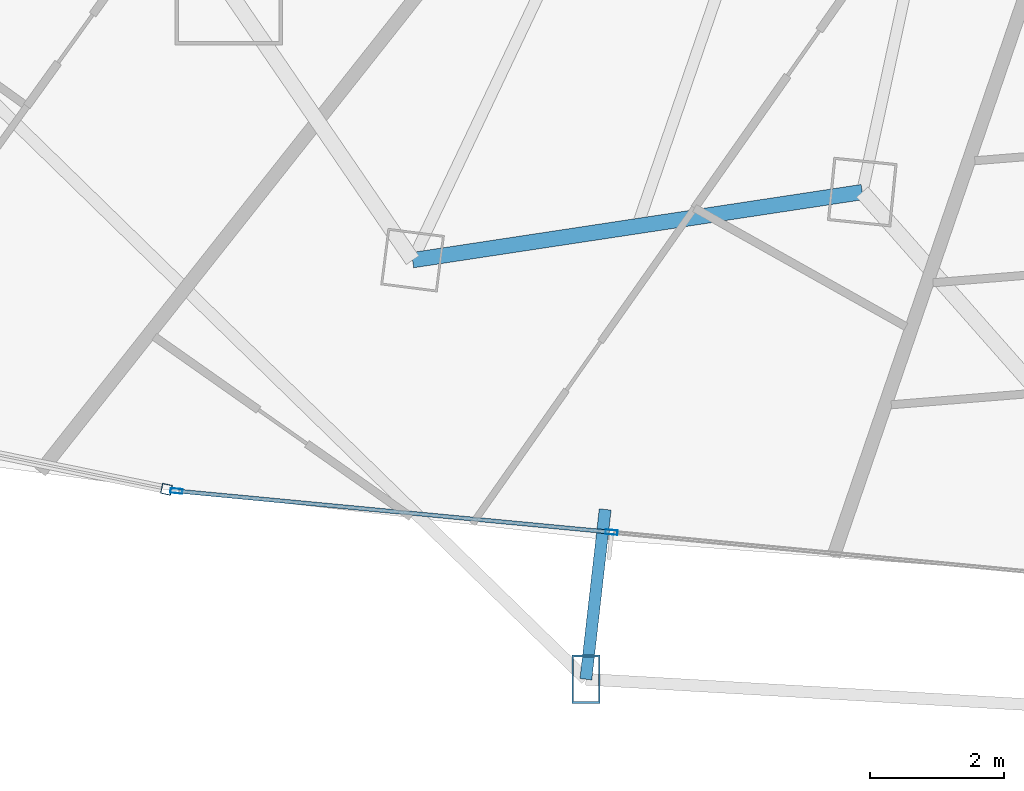
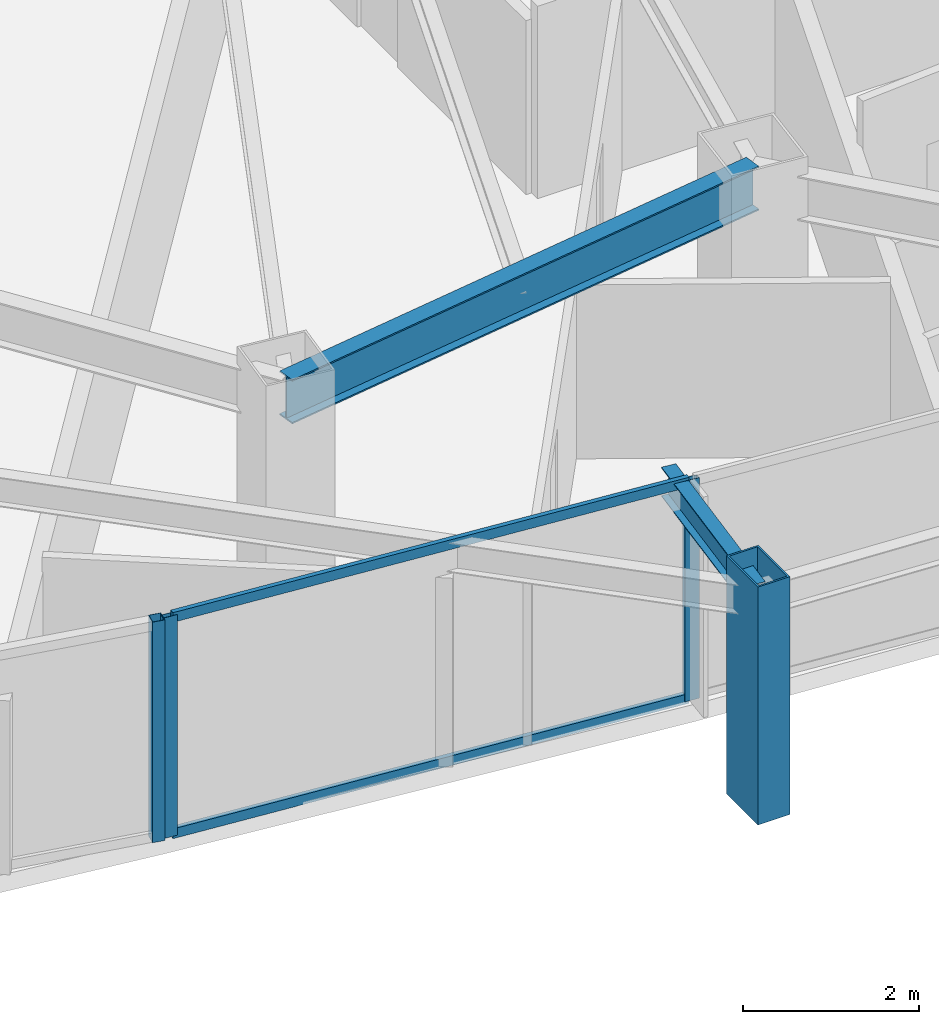
# One storey, part 4 of 37: 6 members, 2 beams, 2 elements without a shape of their own.
"""IFC4 building model written with IfcOpenShell, lengths in metres."""

from ifc_helpers import new_model, si_unit, direction, frame, origin, origin_2d, place, context, subcontext, project, spatial, hollow_rectangle, i_section, extrude, material, layer, layer_set, material_profile, profile_set, type_object, element, aggregate, save


model = new_model("IFC4")

# Units and contexts
model_context = context("Model", 3, precision=1e-05, world=origin(), true_north=direction((0.0, 1.0)))
body_context = subcontext(model_context, "Body", "Model", "MODEL_VIEW")
ifc_project = project(units=[si_unit("LENGTHUNIT", "METRE"), si_unit("AREAUNIT", "SQUARE_METRE"), si_unit("VOLUMEUNIT", "CUBIC_METRE"), si_unit("PLANEANGLEUNIT", "RADIAN"), si_unit("MASSUNIT", "GRAM", prefix="KILO")], contexts=[model_context])

# Site, building, storey
site_placement = place(None, origin())
site = spatial("IfcSite", under=ifc_project, at=site_placement, CompositionType="ELEMENT")
building_placement = place(site_placement, origin())
building = spatial("IfcBuilding", under=site, at=building_placement, Name="Orvanel Arch Residences", CompositionType="ELEMENT")
storey_placement = place(building_placement, frame((0.0, 0.0, 53.300048828125)))
storey = spatial("IfcBuildingStorey", under=building, at=storey_placement, Name="L14", CompositionType="ELEMENT", Elevation=53.300048828125)

# Member
ifc_material_1 = material(Name="Structural steel AS/NZS 3678 Grade 350", Category="steel")
ifc_material_profile_1 = material_profile(ifc_material_1, hollow_rectangle(XDim=0.419921875, YDim=0.719970703125, WallThickness=0.02490234375, at=origin_2d()), Name="RHS720x420x25")
ifc_profile_set_1 = profile_set([ifc_material_profile_1], Name="Structural steel AS/NZS 3678 Grade 350")
member_type_1 = type_object("IfcMemberType", Name="CH-720RHS-EXT", PredefinedType="CHORD", material=ifc_profile_set_1)
member_1_placement = place(storey_placement, frame((19.52587890625, 0.087890625, 0.0), z_axis=(0.0, 0.0, 1.0), x_axis=(1.0, 0.0, 0.0)))
element("IfcMember", 1, at=member_1_placement, inside=storey, type_object=member_type_1, Name="L14 Outer Perimeter Frame Post 05", PredefinedType="CHORD", context=body_context, shape_type="SweptSolid", body=[
    extrude(hollow_rectangle(XDim=0.419921875, YDim=0.719970703125, WallThickness=0.02490234375, at=origin_2d()), origin(), (0.0, 0.0, 1.0), 3.300048828125),
])

# Curtain wall, member
ifc_material_2 = material(Name="Bronze-anodised aluminium AA6063-T6", Category="aluminium")
ifc_layer_1 = layer(ifc_material_2, 0.18994140625)
ifc_layer_set_1 = layer_set([ifc_layer_1], Name="Bronze-anodised aluminium AA6063-T6")
curtain_wall_type_1 = type_object("IfcCurtainWallType", Name="CW5-CRN-SYS", PredefinedType="NOTDEFINED", material=ifc_layer_set_1)
curtain_wall_1_placement = place(storey_placement, origin())
curtain_wall_1 = element("IfcCurtainWall", 2, at=curtain_wall_1_placement, inside=storey, type_object=curtain_wall_type_1, Name="L14 CW5-CRN-SYS Unitised Curtain Wall", PredefinedType="NOTDEFINED")
ifc_material_profile_2 = material_profile(ifc_material_2, hollow_rectangle(XDim=0.14990234375, YDim=0.14990234375, WallThickness=0.0048828125, at=origin_2d()), Name="ALU150x150x5")
ifc_profile_set_2 = profile_set([ifc_material_profile_2], Name="Bronze-anodised aluminium AA6063-T6")
member_type_2 = type_object("IfcMemberType", Name="MUL-150x150", PredefinedType="MULLION", material=ifc_profile_set_2)
member_2_placement = place(storey_placement, frame((13.2705078125, 2.9208984375, 0.0), z_axis=(0.0, 0.0, 1.0), x_axis=(0.200235937609, 0.979747706958, 0.0)))
member_2 = element("IfcMember", 3, at=member_2_placement, type_object=member_type_2, Name="CW-S5 mullion 3", PredefinedType="MULLION", context=body_context, shape_type="SweptSolid", body=[
    extrude(hollow_rectangle(XDim=0.14990234375, YDim=0.14990234375, WallThickness=0.0048828125, at=origin_2d()), origin(), (0.0, 0.0, 1.0), 3.06005859375),
])
aggregate(curtain_wall_1, [member_2])

# Curtain wall, members
ifc_layer_2 = layer(ifc_material_2, 0.179931640625)
ifc_layer_set_2 = layer_set([ifc_layer_2], Name="Bronze-anodised aluminium AA6063-T6")
curtain_wall_type_2 = type_object("IfcCurtainWallType", Name="CW2-LOW-SYS", PredefinedType="NOTDEFINED", material=ifc_layer_set_2)
curtain_wall_2_placement = place(storey_placement, origin())
curtain_wall_2 = element("IfcCurtainWall", 4, at=curtain_wall_2_placement, inside=storey, type_object=curtain_wall_type_2, Name="L14 CW2-LOW-SYS Unitised Curtain Wall", PredefinedType="NOTDEFINED")
ifc_material_profile_3 = material_profile(ifc_material_2, hollow_rectangle(XDim=0.070068359375, YDim=0.179931640625, WallThickness=0.00439453125, at=origin_2d()), Name="ALU180x70x4.5")
ifc_profile_set_3 = profile_set([ifc_material_profile_3], Name="Bronze-anodised aluminium AA6063-T6")
member_type_3 = type_object("IfcMemberType", Name="MUL-180x70", PredefinedType="MULLION", material=ifc_profile_set_3)
member_3_placement = place(storey_placement, frame((13.4189453125, 2.896728515625, 0.0), z_axis=(0.0, 0.0, 1.0), x_axis=(0.094434713682, 0.995531056699, 0.0)))
member_3 = element("IfcMember", 5, at=member_3_placement, type_object=member_type_3, Name="CW-S2 mullion 1", PredefinedType="MULLION", context=body_context, shape_type="SweptSolid", body=[
    extrude(hollow_rectangle(XDim=0.070068359375, YDim=0.179931640625, WallThickness=0.00439453125, at=origin_2d()), origin(), (0.0, 0.0, 1.0), 3.06005859375),
])
member_4_placement = place(storey_placement, frame((19.909423828125, 2.281005859375, 0.0), z_axis=(0.0, 0.0, 1.0), x_axis=(0.094434713682, 0.995531056699, 0.0)))
member_4 = element("IfcMember", 6, at=member_4_placement, type_object=member_type_3, Name="CW-S2 mullion 2", PredefinedType="MULLION", context=body_context, shape_type="SweptSolid", body=[
    extrude(hollow_rectangle(XDim=0.070068359375, YDim=0.179931640625, WallThickness=0.00439453125, at=origin_2d()), origin(), (0.0, 0.0, 1.0), 3.06005859375),
])

# Beams
ifc_material_3 = material(Name="Structural steel AS/NZS 3679.1 Grade 300 (300 MPa)", Category="steel")
ifc_material_profile_4 = material_profile(ifc_material_3, i_section(OverallWidth=0.177978515625, OverallDepth=0.406005859375, WebThickness=0.0078125, FlangeThickness=0.0126953125, at=origin_2d()), Name="410UB59.7")
ifc_profile_set_4 = profile_set([ifc_material_profile_4], Name="Structural steel AS/NZS 3679.1 Grade 300 (300 MPa)")
beam_type_1 = type_object("IfcBeamType", Name="OB-410UB-EXT", PredefinedType="SPANDREL", material=ifc_profile_set_4)
beam_1_placement = place(storey_placement, frame((19.81396484375, 2.62109375, 2.85693359375), z_axis=(-0.112995631455, -0.993595484728, 0.0), x_axis=(0.993595484728, -0.112995631455, 0.0)))
element("IfcBeam", 7, at=beam_1_placement, inside=storey, type_object=beam_type_1, Name="L14 Outer Frame Radial Tie Beam 05", PredefinedType="SPANDREL", context=body_context, shape_type="SweptSolid", body=[
    extrude(i_section(OverallWidth=0.177978515625, OverallDepth=0.406005859375, WebThickness=0.0078125, FlangeThickness=0.0126953125, at=origin_2d()), origin(), (0.0, 0.0, 1.0), 2.549560546875),
])
ifc_material_profile_5 = material_profile(ifc_material_3, i_section(OverallWidth=0.22900390625, OverallDepth=0.612060546875, WebThickness=0.011962890625, FlangeThickness=0.01953125, at=origin_2d()), Name="610UB125")
ifc_profile_set_5 = profile_set([ifc_material_profile_5], Name="Structural steel AS/NZS 3679.1 Grade 300 (300 MPa)")
beam_type_2 = type_object("IfcBeamType", Name="SP-610UB", PredefinedType="SPANDREL", material=ifc_profile_set_5)
beam_2_placement = place(storey_placement, frame((16.94091796875, 6.339111328125, 2.75390625), z_axis=(0.988726323014, 0.149733958002, 0.0), x_axis=(-0.149733958002, 0.988726323014, 0.0)))
element("IfcBeam", 8, at=beam_2_placement, inside=storey, type_object=beam_type_2, Name="L14 Perimeter Spandrel Beam 04", PredefinedType="SPANDREL", context=body_context, shape_type="SweptSolid", body=[
    extrude(i_section(OverallWidth=0.22900390625, OverallDepth=0.612060546875, WebThickness=0.011962890625, FlangeThickness=0.01953125, at=origin_2d()), origin(), (0.0, 0.0, 1.0), 6.784423828125),
])

# Member
ifc_material_profile_6 = material_profile(ifc_material_2, hollow_rectangle(XDim=0.06005859375, YDim=0.135009765625, WallThickness=0.00390625, at=origin_2d()), Name="ALU135x60x4")
ifc_profile_set_6 = profile_set([ifc_material_profile_6], Name="Bronze-anodised aluminium AA6063-T6")
member_type_4 = type_object("IfcMemberType", Name="TRN-135x60", PredefinedType="USERDEFINED", material=ifc_profile_set_6)
member_5_placement = place(storey_placement, frame((13.45361328125, 2.893310546875, 0.030029296875), z_axis=(0.995534176514, -0.094401818799, 0.0), x_axis=(0.094401818799, 0.995534176514, 0.0)))
member_5 = element("IfcMember", 9, at=member_5_placement, type_object=member_type_4, Name="CW-S2 transom 1.1", ObjectType="TRANSOM", PredefinedType="USERDEFINED", context=body_context, shape_type="SweptSolid", body=[
    extrude(hollow_rectangle(XDim=0.06005859375, YDim=0.135009765625, WallThickness=0.00390625, at=origin_2d()), origin(), (0.0, 0.0, 1.0), 6.449951171875),
])

member_6_placement = place(storey_placement, frame((13.45361328125, 2.893310546875, 3.030029296875), z_axis=(0.995534176514, -0.094401818799, 0.0), x_axis=(0.094401818799, 0.995534176514, 0.0)))
member_6 = element("IfcMember", 10, at=member_6_placement, type_object=member_type_4, Name="CW-S2 transom 1.2", ObjectType="TRANSOM", PredefinedType="USERDEFINED", context=body_context, shape_type="SweptSolid", body=[
    extrude(hollow_rectangle(XDim=0.06005859375, YDim=0.135009765625, WallThickness=0.00390625, at=origin_2d()), origin(), (0.0, 0.0, 1.0), 6.449951171875),
])

aggregate(curtain_wall_2, [member_3, member_4, member_5, member_6])

save(model, "model.ifc")
